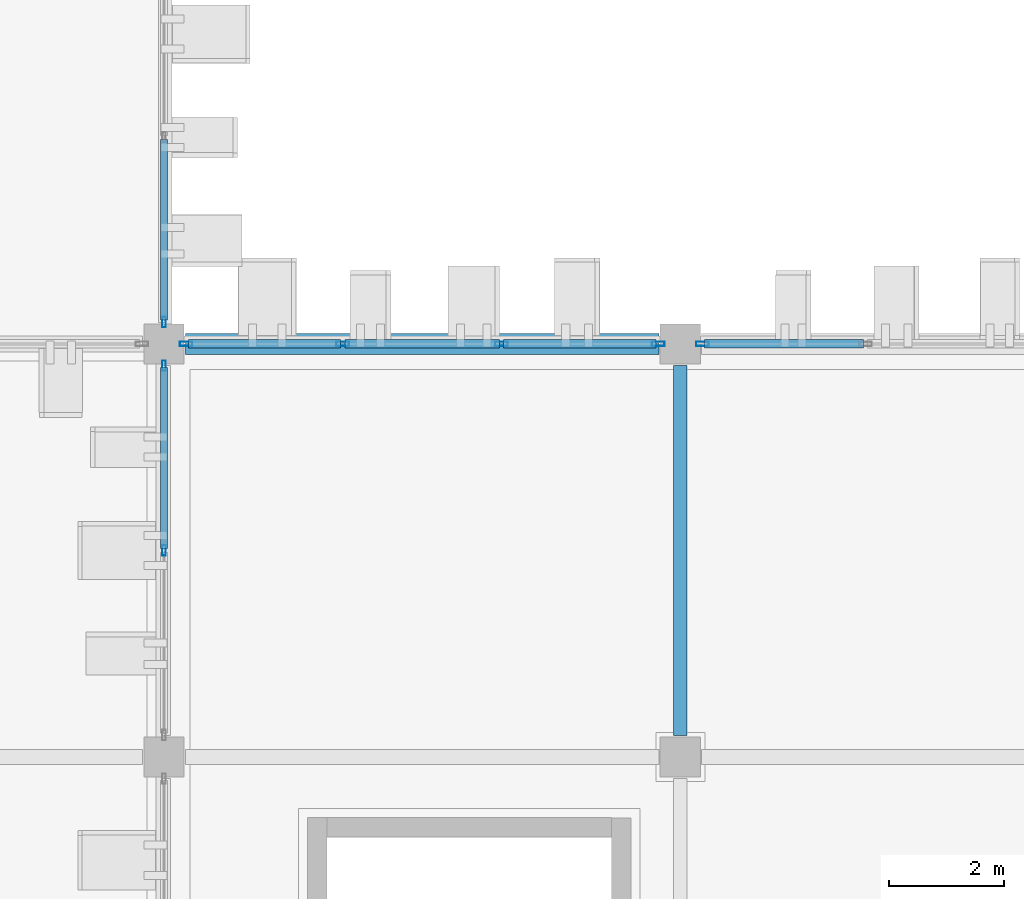
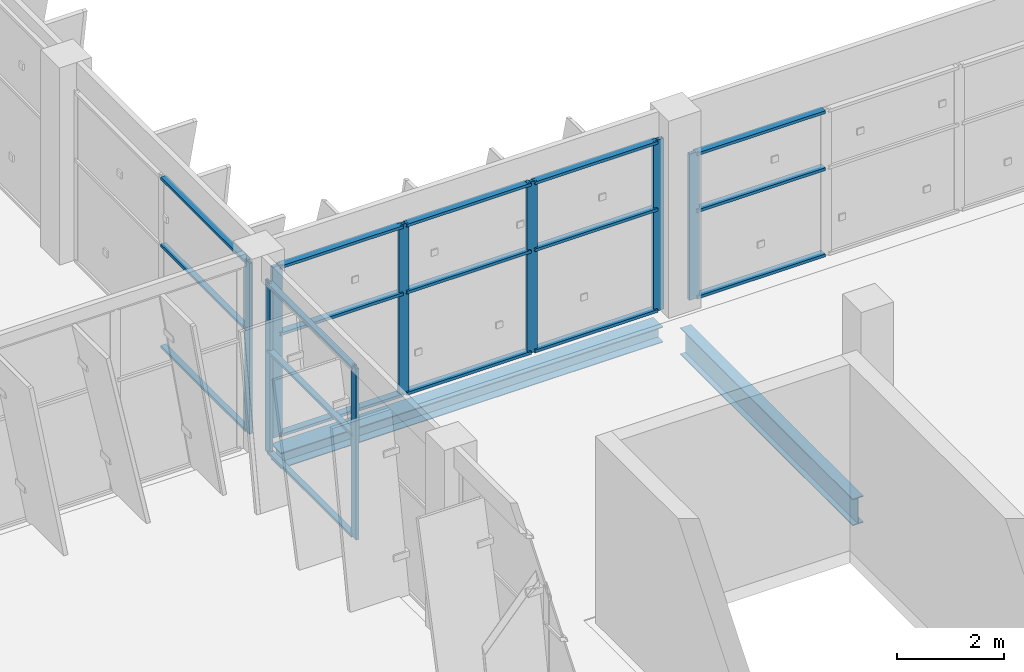
# One storey, part 45 of 151: 26 members, 2 beams, 4 elements without a shape of their own.
"""IFC4 building model written with IfcOpenShell, lengths in metres."""

from ifc_helpers import new_model, si_unit, direction, frame, origin, origin_2d, place, context, subcontext, project, spatial, hollow_rectangle, i_section, extrude, material, layer, layer_set, material_profile, profile_set, type_object, element, aggregate, save


model = new_model("IFC4")

# Units and contexts
model_context = context("Model", 3, precision=1e-05, world=origin(), true_north=direction((0.0, 1.0)))
body_context = subcontext(model_context, "Body", "Model", "MODEL_VIEW")
ifc_project = project(units=[si_unit("LENGTHUNIT", "METRE"), si_unit("AREAUNIT", "SQUARE_METRE"), si_unit("VOLUMEUNIT", "CUBIC_METRE"), si_unit("PLANEANGLEUNIT", "RADIAN"), si_unit("MASSUNIT", "GRAM", prefix="KILO")], contexts=[model_context])

# Site, building, storey
site_placement = place(None, origin())
site = spatial("IfcSite", under=ifc_project, at=site_placement, CompositionType="ELEMENT")
building_placement = place(site_placement, origin())
building = spatial("IfcBuilding", under=site, at=building_placement, Name="Celestram Park Convention Centre", CompositionType="ELEMENT")
storey_placement = place(building_placement, frame((0.0, 0.0, 10.800048828125)))
storey = spatial("IfcBuildingStorey", under=building, at=storey_placement, Name="L02", CompositionType="ELEMENT", Elevation=10.800048828125)

# Curtain wall, members
ifc_material_1 = material(Name="Anodised Aluminium Alloy 6063-T6", Category="aluminium")
ifc_layer_1 = layer(ifc_material_1, 0.179931640625)
ifc_layer_set_1 = layer_set([ifc_layer_1], Name="Anodised Aluminium Alloy 6063-T6")
curtain_wall_type_1 = type_object("IfcCurtainWallType", Name="ARC-CW-650X390", PredefinedType="NOTDEFINED", material=ifc_layer_set_1)
curtain_wall_1_placement = place(storey_placement, origin())
curtain_wall_1 = element("IfcCurtainWall", 1, at=curtain_wall_1_placement, inside=storey, type_object=curtain_wall_type_1, Name="Unitised curtain wall CU-L02-143", PredefinedType="NOTDEFINED")
ifc_material_profile_1 = material_profile(ifc_material_1, hollow_rectangle(XDim=0.06494140625, YDim=0.179931640625, WallThickness=0.00390625, at=origin_2d()), Name="ALU65X180X4")
ifc_profile_set_1 = profile_set([ifc_material_profile_1], Name="Anodised Aluminium Alloy 6063-T6")
member_type_1 = type_object("IfcMemberType", Name="ARC-CWM-150", PredefinedType="MULLION", material=ifc_profile_set_1)
member_1_placement = place(storey_placement, frame((144.0, 32.39990234375, 0.0), z_axis=(0.0, 0.0, 1.0), x_axis=(-1.0, 0.0, 0.0)))
member_1 = element("IfcMember", 2, at=member_1_placement, type_object=member_type_1, Name="CW-65X39 mullion 2", PredefinedType="MULLION", context=body_context, shape_type="SweptSolid", body=[
    extrude(hollow_rectangle(XDim=0.06494140625, YDim=0.179931640625, WallThickness=0.00390625, at=origin_2d()), origin(), (0.0, 0.0, 1.0), 3.904052734375),
])
member_2_placement = place(storey_placement, frame((144.0, 35.619384765625, 0.0), z_axis=(0.0, 0.0, 1.0), x_axis=(-1.0, 0.0, 0.0)))
member_2 = element("IfcMember", 3, at=member_2_placement, type_object=member_type_1, Name="CW-65X39 mullion 3", PredefinedType="MULLION", context=body_context, shape_type="SweptSolid", body=[
    extrude(hollow_rectangle(XDim=0.06494140625, YDim=0.179931640625, WallThickness=0.00390625, at=origin_2d()), origin(), (0.0, 0.0, 1.0), 3.904052734375),
])

# Curtain wall, member
curtain_wall_2_placement = place(storey_placement, origin())
curtain_wall_2 = element("IfcCurtainWall", 4, at=curtain_wall_2_placement, inside=storey, type_object=curtain_wall_type_1, Name="Unitised curtain wall CU-L02-192", PredefinedType="NOTDEFINED")
member_3_placement = place(storey_placement, frame((144.0, 36.380615234375, 0.0), z_axis=(0.0, 0.0, 1.0), x_axis=(1.0, 0.0, 0.0)))
member_3 = element("IfcMember", 5, at=member_3_placement, type_object=member_type_1, Name="CW-65X39 mullion 3", PredefinedType="MULLION", context=body_context, shape_type="SweptSolid", body=[
    extrude(hollow_rectangle(XDim=0.06494140625, YDim=0.179931640625, WallThickness=0.00390625, at=origin_2d()), origin(), (0.0, 0.0, 1.0), 3.904052734375),
])

# Curtain wall, members
ifc_layer_2 = layer(ifc_material_1, 0.179931640625)
ifc_layer_set_2 = layer_set([ifc_layer_2], Name="Anodised Aluminium Alloy 6063-T6")
curtain_wall_type_2 = type_object("IfcCurtainWallType", Name="ARC-CW-830X390", PredefinedType="NOTDEFINED", material=ifc_layer_set_2)
curtain_wall_3_placement = place(storey_placement, origin())
curtain_wall_3 = element("IfcCurtainWall", 6, at=curtain_wall_3_placement, inside=storey, type_object=curtain_wall_type_2, Name="Unitised curtain wall CU-L02-144", PredefinedType="NOTDEFINED")
ifc_material_profile_2 = material_profile(ifc_material_1, hollow_rectangle(XDim=0.074951171875, YDim=0.219970703125, WallThickness=0.00390625, at=origin_2d()), Name="ALU75X220X4")
ifc_profile_set_2 = profile_set([ifc_material_profile_2], Name="Anodised Aluminium Alloy 6063-T6")
member_type_2 = type_object("IfcMemberType", Name="ARC-CWM-180", PredefinedType="MULLION", material=ifc_profile_set_2)
member_4_placement = place(storey_placement, frame((144.385498046875, 36.0, 0.0), z_axis=(0.0, 0.0, 1.0), x_axis=(0.0, 1.0, 0.0)))
member_4 = element("IfcMember", 7, at=member_4_placement, type_object=member_type_2, Name="CW-83X39 mullion 1", PredefinedType="MULLION", context=body_context, shape_type="SweptSolid", body=[
    extrude(hollow_rectangle(XDim=0.074951171875, YDim=0.219970703125, WallThickness=0.00390625, at=origin_2d()), origin(), (0.0, 0.0, 1.0), 3.904052734375),
])
member_5_placement = place(storey_placement, frame((147.115966796875, 36.0, 0.0), z_axis=(0.0, 0.0, 1.0), x_axis=(0.0, 1.0, 0.0)))
member_5 = element("IfcMember", 8, at=member_5_placement, type_object=member_type_2, Name="CW-83X39 mullion 2", PredefinedType="MULLION", context=body_context, shape_type="SweptSolid", body=[
    extrude(hollow_rectangle(XDim=0.074951171875, YDim=0.219970703125, WallThickness=0.00390625, at=origin_2d()), origin(), (0.0, 0.0, 1.0), 3.904052734375),
])
member_6_placement = place(storey_placement, frame((149.884033203125, 36.0, 0.0), z_axis=(0.0, 0.0, 1.0), x_axis=(0.0, 1.0, 0.0)))
member_6 = element("IfcMember", 9, at=member_6_placement, type_object=member_type_2, Name="CW-83X39 mullion 3", PredefinedType="MULLION", context=body_context, shape_type="SweptSolid", body=[
    extrude(hollow_rectangle(XDim=0.074951171875, YDim=0.219970703125, WallThickness=0.00390625, at=origin_2d()), origin(), (0.0, 0.0, 1.0), 3.904052734375),
])
member_7_placement = place(storey_placement, frame((152.614501953125, 36.0, 0.0), z_axis=(0.0, 0.0, 1.0), x_axis=(0.0, 1.0, 0.0)))
member_7 = element("IfcMember", 10, at=member_7_placement, type_object=member_type_2, Name="CW-83X39 mullion 4", PredefinedType="MULLION", context=body_context, shape_type="SweptSolid", body=[
    extrude(hollow_rectangle(XDim=0.074951171875, YDim=0.219970703125, WallThickness=0.00390625, at=origin_2d()), origin(), (0.0, 0.0, 1.0), 3.904052734375),
])

# Curtain wall, member
ifc_layer_3 = layer(ifc_material_1, 0.179931640625)
ifc_layer_set_3 = layer_set([ifc_layer_3], Name="Anodised Aluminium Alloy 6063-T6")
curtain_wall_type_3 = type_object("IfcCurtainWallType", Name="ARC-CW-864X334", PredefinedType="NOTDEFINED", material=ifc_layer_set_3)
curtain_wall_4_placement = place(storey_placement, origin())
curtain_wall_4 = element("IfcCurtainWall", 11, at=curtain_wall_4_placement, inside=storey, type_object=curtain_wall_type_3, Name="Unitised curtain wall CU-L02-145", PredefinedType="NOTDEFINED")
member_8_placement = place(storey_placement, frame((153.385498046875, 36.0, 0.0), z_axis=(0.0, 0.0, 1.0), x_axis=(0.0, 1.0, 0.0)))
member_8 = element("IfcMember", 12, at=member_8_placement, type_object=member_type_2, Name="CW-86X33 mullion 1", PredefinedType="MULLION", context=body_context, shape_type="SweptSolid", body=[
    extrude(hollow_rectangle(XDim=0.074951171875, YDim=0.219970703125, WallThickness=0.00390625, at=origin_2d()), origin(), (0.0, 0.0, 1.0), 3.3359375),
])

# Member
ifc_material_profile_3 = material_profile(ifc_material_1, hollow_rectangle(XDim=0.1201171875, YDim=0.06005859375, WallThickness=0.0029296875, at=origin_2d()), Name="ALU120X60X3")
ifc_profile_set_3 = profile_set([ifc_material_profile_3], Name="Anodised Aluminium Alloy 6063-T6")
member_type_3 = type_object("IfcMemberType", Name="ARC-CWT-120", PredefinedType="USERDEFINED", material=ifc_profile_set_3)
member_9_placement = place(storey_placement, frame((144.0, 32.4326171875, 0.030029296875), z_axis=(0.0, 1.0, 0.0), x_axis=(-1.0, 0.0, 0.0)))
member_9 = element("IfcMember", 13, at=member_9_placement, type_object=member_type_3, Name="CW-65X39 transom 2.1", ObjectType="TRANSOM", PredefinedType="USERDEFINED", context=body_context, shape_type="SweptSolid", body=[
    extrude(hollow_rectangle(XDim=0.1201171875, YDim=0.06005859375, WallThickness=0.0029296875, at=origin_2d()), origin(), (0.0, 0.0, 1.0), 3.154296875),
])

member_10_placement = place(storey_placement, frame((144.0, 32.4326171875, 2.342041015625), z_axis=(0.0, 1.0, 0.0), x_axis=(-1.0, 0.0, 0.0)))
member_10 = element("IfcMember", 14, at=member_10_placement, type_object=member_type_3, Name="CW-65X39 transom 2.2", ObjectType="TRANSOM", PredefinedType="USERDEFINED", context=body_context, shape_type="SweptSolid", body=[
    extrude(hollow_rectangle(XDim=0.1201171875, YDim=0.06005859375, WallThickness=0.0029296875, at=origin_2d()), origin(), (0.0, 0.0, 1.0), 3.154296875),
])

member_11_placement = place(storey_placement, frame((144.0, 32.4326171875, 3.8740234375), z_axis=(0.0, 1.0, 0.0), x_axis=(-1.0, 0.0, 0.0)))
member_11 = element("IfcMember", 15, at=member_11_placement, type_object=member_type_3, Name="CW-65X39 transom 2.3", ObjectType="TRANSOM", PredefinedType="USERDEFINED", context=body_context, shape_type="SweptSolid", body=[
    extrude(hollow_rectangle(XDim=0.1201171875, YDim=0.06005859375, WallThickness=0.0029296875, at=origin_2d()), origin(), (0.0, 0.0, 1.0), 3.154296875),
])

aggregate(curtain_wall_1, [member_1, member_2, member_9, member_10, member_11])

member_12_placement = place(storey_placement, frame((144.0, 39.5673828125, 0.030029296875), z_axis=(0.0, -1.0, 0.0), x_axis=(1.0, 0.0, 0.0)))
member_12 = element("IfcMember", 16, at=member_12_placement, type_object=member_type_3, Name="CW-65X39 transom 2.1", ObjectType="TRANSOM", PredefinedType="USERDEFINED", context=body_context, shape_type="SweptSolid", body=[
    extrude(hollow_rectangle(XDim=0.1201171875, YDim=0.06005859375, WallThickness=0.0029296875, at=origin_2d()), origin(), (0.0, 0.0, 1.0), 3.154296875),
])

member_13_placement = place(storey_placement, frame((144.0, 39.5673828125, 2.342041015625), z_axis=(0.0, -1.0, 0.0), x_axis=(1.0, 0.0, 0.0)))
member_13 = element("IfcMember", 17, at=member_13_placement, type_object=member_type_3, Name="CW-65X39 transom 2.2", ObjectType="TRANSOM", PredefinedType="USERDEFINED", context=body_context, shape_type="SweptSolid", body=[
    extrude(hollow_rectangle(XDim=0.1201171875, YDim=0.06005859375, WallThickness=0.0029296875, at=origin_2d()), origin(), (0.0, 0.0, 1.0), 3.154296875),
])

member_14_placement = place(storey_placement, frame((144.0, 39.5673828125, 3.8740234375), z_axis=(0.0, -1.0, 0.0), x_axis=(1.0, 0.0, 0.0)))
member_14 = element("IfcMember", 18, at=member_14_placement, type_object=member_type_3, Name="CW-65X39 transom 2.3", ObjectType="TRANSOM", PredefinedType="USERDEFINED", context=body_context, shape_type="SweptSolid", body=[
    extrude(hollow_rectangle(XDim=0.1201171875, YDim=0.06005859375, WallThickness=0.0029296875, at=origin_2d()), origin(), (0.0, 0.0, 1.0), 3.154296875),
])

aggregate(curtain_wall_2, [member_3, member_12, member_13, member_14])

ifc_material_profile_4 = material_profile(ifc_material_1, hollow_rectangle(XDim=0.14990234375, YDim=0.06494140625, WallThickness=0.0029296875, at=origin_2d()), Name="ALU150X65X3")
ifc_profile_set_4 = profile_set([ifc_material_profile_4], Name="Anodised Aluminium Alloy 6063-T6")
member_type_4 = type_object("IfcMemberType", Name="ARC-CWT-150", PredefinedType="USERDEFINED", material=ifc_profile_set_4)
member_15_placement = place(storey_placement, frame((144.423095703125, 36.0, 0.032470703125), z_axis=(1.0, 0.0, 0.0), x_axis=(0.0, 1.0, 0.0)))
member_15 = element("IfcMember", 19, at=member_15_placement, type_object=member_type_4, Name="CW-83X39 transom 1.1", ObjectType="TRANSOM", PredefinedType="USERDEFINED", context=body_context, shape_type="SweptSolid", body=[
    extrude(hollow_rectangle(XDim=0.14990234375, YDim=0.06494140625, WallThickness=0.0029296875, at=origin_2d()), origin(), (0.0, 0.0, 1.0), 2.655517578125),
])

member_16_placement = place(storey_placement, frame((144.423095703125, 36.0, 2.342041015625), z_axis=(1.0, 0.0, 0.0), x_axis=(0.0, 1.0, 0.0)))
member_16 = element("IfcMember", 20, at=member_16_placement, type_object=member_type_4, Name="CW-83X39 transom 1.2", ObjectType="TRANSOM", PredefinedType="USERDEFINED", context=body_context, shape_type="SweptSolid", body=[
    extrude(hollow_rectangle(XDim=0.14990234375, YDim=0.06494140625, WallThickness=0.0029296875, at=origin_2d()), origin(), (0.0, 0.0, 1.0), 2.655517578125),
])

member_17_placement = place(storey_placement, frame((144.423095703125, 36.0, 3.871337890625), z_axis=(1.0, 0.0, 0.0), x_axis=(0.0, 1.0, 0.0)))
member_17 = element("IfcMember", 21, at=member_17_placement, type_object=member_type_4, Name="CW-83X39 transom 1.3", ObjectType="TRANSOM", PredefinedType="USERDEFINED", context=body_context, shape_type="SweptSolid", body=[
    extrude(hollow_rectangle(XDim=0.14990234375, YDim=0.06494140625, WallThickness=0.0029296875, at=origin_2d()), origin(), (0.0, 0.0, 1.0), 2.655517578125),
])

member_18_placement = place(storey_placement, frame((147.153564453125, 36.0, 0.032470703125), z_axis=(1.0, 0.0, 0.0), x_axis=(0.0, 1.0, 0.0)))
member_18 = element("IfcMember", 22, at=member_18_placement, type_object=member_type_4, Name="CW-83X39 transom 2.1", ObjectType="TRANSOM", PredefinedType="USERDEFINED", context=body_context, shape_type="SweptSolid", body=[
    extrude(hollow_rectangle(XDim=0.14990234375, YDim=0.06494140625, WallThickness=0.0029296875, at=origin_2d()), origin(), (0.0, 0.0, 1.0), 2.69287109375),
])

member_19_placement = place(storey_placement, frame((147.153564453125, 36.0, 2.342041015625), z_axis=(1.0, 0.0, 0.0), x_axis=(0.0, 1.0, 0.0)))
member_19 = element("IfcMember", 23, at=member_19_placement, type_object=member_type_4, Name="CW-83X39 transom 2.2", ObjectType="TRANSOM", PredefinedType="USERDEFINED", context=body_context, shape_type="SweptSolid", body=[
    extrude(hollow_rectangle(XDim=0.14990234375, YDim=0.06494140625, WallThickness=0.0029296875, at=origin_2d()), origin(), (0.0, 0.0, 1.0), 2.69287109375),
])

member_20_placement = place(storey_placement, frame((147.153564453125, 36.0, 3.871337890625), z_axis=(1.0, 0.0, 0.0), x_axis=(0.0, 1.0, 0.0)))
member_20 = element("IfcMember", 24, at=member_20_placement, type_object=member_type_4, Name="CW-83X39 transom 2.3", ObjectType="TRANSOM", PredefinedType="USERDEFINED", context=body_context, shape_type="SweptSolid", body=[
    extrude(hollow_rectangle(XDim=0.14990234375, YDim=0.06494140625, WallThickness=0.0029296875, at=origin_2d()), origin(), (0.0, 0.0, 1.0), 2.69287109375),
])

member_21_placement = place(storey_placement, frame((149.92138671875, 36.0, 0.032470703125), z_axis=(1.0, 0.0, 0.0), x_axis=(0.0, 1.0, 0.0)))
member_21 = element("IfcMember", 25, at=member_21_placement, type_object=member_type_4, Name="CW-83X39 transom 3.1", ObjectType="TRANSOM", PredefinedType="USERDEFINED", context=body_context, shape_type="SweptSolid", body=[
    extrude(hollow_rectangle(XDim=0.14990234375, YDim=0.06494140625, WallThickness=0.0029296875, at=origin_2d()), origin(), (0.0, 0.0, 1.0), 2.655517578125),
])

member_22_placement = place(storey_placement, frame((149.92138671875, 36.0, 2.342041015625), z_axis=(1.0, 0.0, 0.0), x_axis=(0.0, 1.0, 0.0)))
member_22 = element("IfcMember", 26, at=member_22_placement, type_object=member_type_4, Name="CW-83X39 transom 3.2", ObjectType="TRANSOM", PredefinedType="USERDEFINED", context=body_context, shape_type="SweptSolid", body=[
    extrude(hollow_rectangle(XDim=0.14990234375, YDim=0.06494140625, WallThickness=0.0029296875, at=origin_2d()), origin(), (0.0, 0.0, 1.0), 2.655517578125),
])

member_23_placement = place(storey_placement, frame((149.92138671875, 36.0, 3.871337890625), z_axis=(1.0, 0.0, 0.0), x_axis=(0.0, 1.0, 0.0)))
member_23 = element("IfcMember", 27, at=member_23_placement, type_object=member_type_4, Name="CW-83X39 transom 3.3", ObjectType="TRANSOM", PredefinedType="USERDEFINED", context=body_context, shape_type="SweptSolid", body=[
    extrude(hollow_rectangle(XDim=0.14990234375, YDim=0.06494140625, WallThickness=0.0029296875, at=origin_2d()), origin(), (0.0, 0.0, 1.0), 2.655517578125),
])

aggregate(curtain_wall_3, [member_4, member_5, member_6, member_7, member_15, member_16, member_17, member_18, member_19, member_20, member_21, member_22, member_23])

member_24_placement = place(storey_placement, frame((153.423095703125, 36.0, 0.032470703125), z_axis=(1.0, 0.0, 0.0), x_axis=(0.0, 1.0, 0.0)))
member_24 = element("IfcMember", 28, at=member_24_placement, type_object=member_type_4, Name="CW-86X33 transom 1.1", ObjectType="TRANSOM", PredefinedType="USERDEFINED", context=body_context, shape_type="SweptSolid", body=[
    extrude(hollow_rectangle(XDim=0.14990234375, YDim=0.06494140625, WallThickness=0.0029296875, at=origin_2d()), origin(), (0.0, 0.0, 1.0), 2.76904296875),
])

member_25_placement = place(storey_placement, frame((153.423095703125, 36.0, 2.001953125), z_axis=(1.0, 0.0, 0.0), x_axis=(0.0, 1.0, 0.0)))
member_25 = element("IfcMember", 29, at=member_25_placement, type_object=member_type_4, Name="CW-86X33 transom 1.2", ObjectType="TRANSOM", PredefinedType="USERDEFINED", context=body_context, shape_type="SweptSolid", body=[
    extrude(hollow_rectangle(XDim=0.14990234375, YDim=0.06494140625, WallThickness=0.0029296875, at=origin_2d()), origin(), (0.0, 0.0, 1.0), 2.76904296875),
])

member_26_placement = place(storey_placement, frame((153.423095703125, 36.0, 3.303466796875), z_axis=(1.0, 0.0, 0.0), x_axis=(0.0, 1.0, 0.0)))
member_26 = element("IfcMember", 30, at=member_26_placement, type_object=member_type_4, Name="CW-86X33 transom 1.3", ObjectType="TRANSOM", PredefinedType="USERDEFINED", context=body_context, shape_type="SweptSolid", body=[
    extrude(hollow_rectangle(XDim=0.14990234375, YDim=0.06494140625, WallThickness=0.0029296875, at=origin_2d()), origin(), (0.0, 0.0, 1.0), 2.76904296875),
])

aggregate(curtain_wall_4, [member_8, member_24, member_25, member_26])

# Beams
ifc_material_2 = material(Name="Steel ASTM A992 Grade 50", Category="steel")
ifc_material_profile_5 = material_profile(ifc_material_2, i_section(OverallWidth=0.22900390625, OverallDepth=0.612060546875, WebThickness=0.011962890625, FlangeThickness=0.01953125, at=origin_2d()), Name="W24X84")
ifc_profile_set_5 = profile_set([ifc_material_profile_5], Name="Steel ASTM A992 Grade 50")
beam_type_1 = type_object("IfcBeamType", Name="STR-BM-W24X84", PredefinedType="BEAM", material=ifc_profile_set_5)
beam_1_placement = place(storey_placement, frame((153.0, 29.173095703125, -0.5859375), z_axis=(0.0, 1.0, 0.0), x_axis=(-1.0, 0.0, 0.0)))
element("IfcBeam", 31, at=beam_1_placement, inside=storey, type_object=beam_type_1, Name="Primary Y-girder BG-L02-0273", PredefinedType="BEAM", context=body_context, shape_type="SweptSolid", body=[
    extrude(i_section(OverallWidth=0.22900390625, OverallDepth=0.612060546875, WebThickness=0.011962890625, FlangeThickness=0.01953125, at=origin_2d()), origin(), (0.0, 0.0, 1.0), 6.453857421875),
])
ifc_material_profile_6 = material_profile(ifc_material_2, i_section(OverallWidth=0.367919921875, OverallDepth=0.35595703125, WebThickness=0.01123046875, FlangeThickness=0.01806640625, at=origin_2d()), Name="W14X90")
ifc_profile_set_6 = profile_set([ifc_material_profile_6], Name="Steel ASTM A992 Grade 50")
beam_type_2 = type_object("IfcBeamType", Name="STR-SPN-W14X90", PredefinedType="SPANDREL", material=ifc_profile_set_6)
beam_2_placement = place(storey_placement, frame((144.373046875, 36.0, -0.4580078125), z_axis=(1.0, 0.0, 0.0), x_axis=(0.0, 1.0, 0.0)))
element("IfcBeam", 32, at=beam_2_placement, inside=storey, type_object=beam_type_2, Name="Primary X-girder BG-L02-0242", PredefinedType="SPANDREL", context=body_context, shape_type="SweptSolid", body=[
    extrude(i_section(OverallWidth=0.367919921875, OverallDepth=0.35595703125, WebThickness=0.01123046875, FlangeThickness=0.01806640625, at=origin_2d()), origin(), (0.0, 0.0, 1.0), 8.25390625),
])

save(model, "model.ifc")
